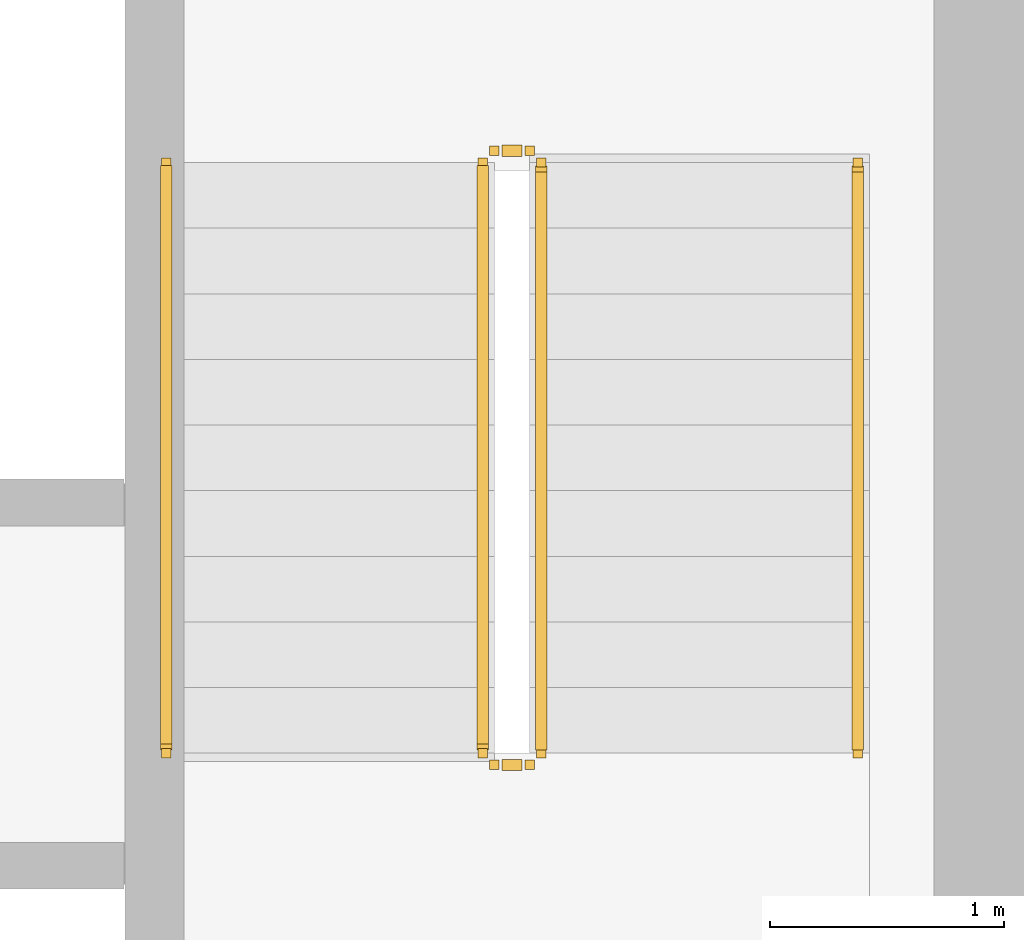
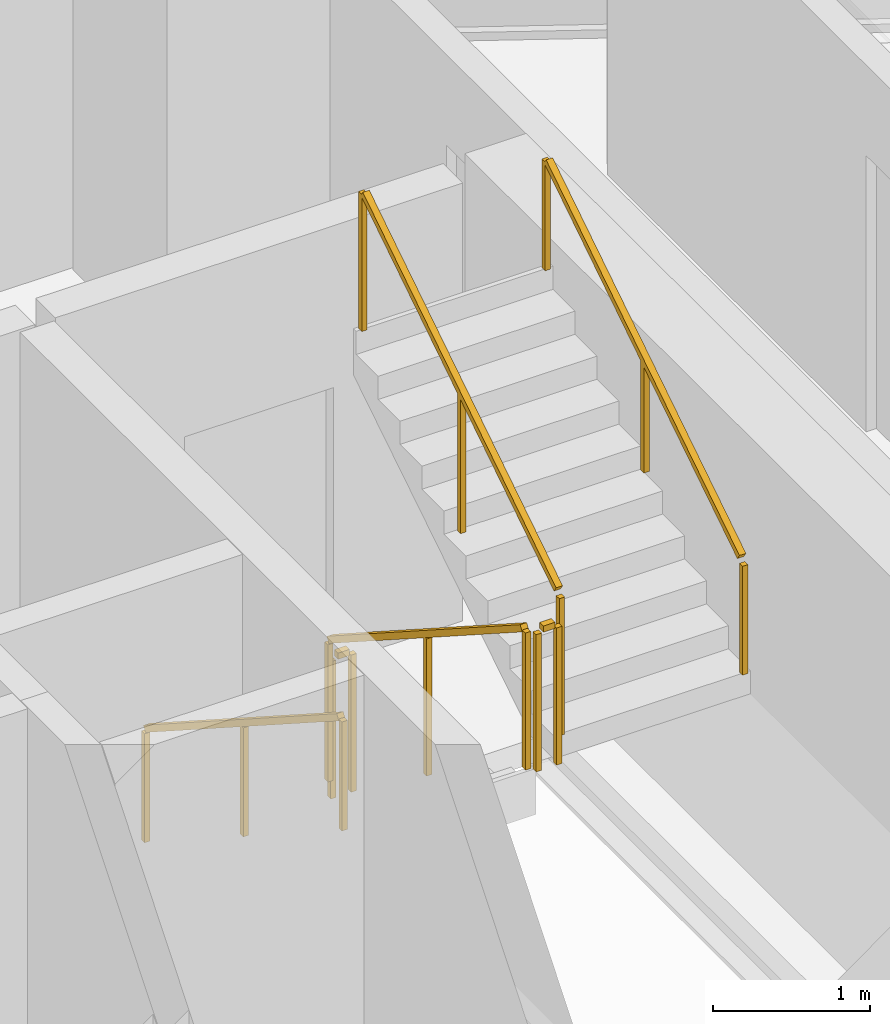
# One storey, part 19 of 20: 6 railings.
"""IFC4 building model written with IfcOpenShell, lengths in metres."""

from ifc_helpers import new_model, si_unit, direction, frame, origin, origin_2d, place, context, subcontext, project, spatial, rectangle, extrude, material, type_object, element, save


model = new_model("IFC4")

# Units and contexts
model_context = context("Model", 3, precision=1e-05, world=origin(), true_north=direction((0.0, 1.0)))
body_context = subcontext(model_context, "Body", "Model", "MODEL_VIEW")
ifc_project = project(units=[si_unit("LENGTHUNIT", "METRE"), si_unit("AREAUNIT", "SQUARE_METRE"), si_unit("VOLUMEUNIT", "CUBIC_METRE"), si_unit("PLANEANGLEUNIT", "RADIAN"), si_unit("MASSUNIT", "GRAM", prefix="KILO")], contexts=[model_context])

# Site, building, storey
site_placement = place(None, origin())
site = spatial("IfcSite", under=ifc_project, at=site_placement, CompositionType="ELEMENT")
building_placement = place(site_placement, origin())
building = spatial("IfcBuilding", under=site, at=building_placement, Name="Tharavind Bronze Gate", CompositionType="ELEMENT")
storey_placement = place(building_placement, frame((0.0, 0.0, 138.800048828125)))
storey = spatial("IfcBuildingStorey", under=building, at=storey_placement, Name="L35", CompositionType="ELEMENT", Elevation=138.800048828125)

# Railings
ifc_material = material(Name="Brushed Bronze Alloy", Category="metal")
railing_type_1 = type_object("IfcRailingType", Name="STAIR BRONZE HANDRAIL 900", PredefinedType="HANDRAIL", material=ifc_material)
railing_1_placement = place(storey_placement, frame((5.39990234375, 2.25, 0.179931640625)))
element("IfcRailing", 1, at=railing_1_placement, inside=storey, type_object=railing_type_1, Name="L35 ST2 stair handrail 1", PredefinedType="HANDRAIL", context=body_context, shape_type="SweptSolid", body=[
    extrude(rectangle(XDim=0.048095703125, YDim=0.048095703125, at=origin_2d()), frame((0.0, -0.02685546875, 0.89306640625), z_axis=(0.0, -0.841162588446, 0.540782303519), x_axis=(1.0, 0.0, 0.0)), (0.0, 0.0, 1.0), 2.931884765625),
    extrude(rectangle(XDim=0.0400390625, YDim=0.0400390625, at=origin_2d()), origin(), (0.0, 0.0, 1.0), 0.847900390625),
    extrude(rectangle(XDim=0.0400390625, YDim=0.0400390625, at=origin_2d()), frame((0.0, -1.260009765625, 0.81005859375)), (0.0, 0.0, 1.0), 0.847900390625),
    extrude(rectangle(XDim=0.0400390625, YDim=0.0400390625, at=origin_2d()), frame((0.0, -2.52001953125, 1.6201171875)), (0.0, 0.0, 1.0), 0.847900390625),
])
railing_2_placement = place(storey_placement, frame((8.35009765625, -0.27001953125, 1.97998046875)))
element("IfcRailing", 2, at=railing_2_placement, inside=storey, type_object=railing_type_1, Name="L35 ST2 stair handrail 2", PredefinedType="HANDRAIL", context=body_context, shape_type="SweptSolid", body=[
    extrude(rectangle(XDim=0.048095703125, YDim=0.048095703125, at=origin_2d()), frame((0.0, 0.02685546875, 0.89306640625), z_axis=(0.0, 0.841199657755, 0.540724639528), x_axis=(-1.0, 0.0, 0.0)), (0.0, 0.0, 1.0), 2.931640625),
    extrude(rectangle(XDim=0.0400390625, YDim=0.0400390625, at=origin_2d()), origin(), (0.0, 0.0, 1.0), 0.847900390625),
    extrude(rectangle(XDim=0.0400390625, YDim=0.0400390625, at=origin_2d()), frame((0.0, 1.260009765625, 0.81005859375)), (0.0, 0.0, 1.0), 0.847900390625),
    extrude(rectangle(XDim=0.0400390625, YDim=0.0400390625, at=origin_2d()), frame((0.0, 2.52001953125, 1.619873046875)), (0.0, 0.0, 1.0), 0.847900390625),
])
railing_type_2 = type_object("IfcRailingType", Name="STAIR WELL GUARD RAILING 1120", PredefinedType="GUARDRAIL", material=ifc_material)
railing_3_placement = place(storey_placement, frame((6.75, 2.25, 0.179931640625)))
element("IfcRailing", 3, at=railing_3_placement, inside=storey, type_object=railing_type_2, Name="L35 ST2 stair guard 1", PredefinedType="GUARDRAIL", context=body_context, shape_type="SweptSolid", body=[
    extrude(rectangle(XDim=0.048095703125, YDim=0.048095703125, at=origin_2d()), frame((0.0, -0.02685546875, 1.11328125), z_axis=(0.0, -0.841162588446, 0.540782303519), x_axis=(1.0, 0.0, 0.0)), (0.0, 0.0, 1.0), 2.931884765625),
    extrude(rectangle(XDim=0.0400390625, YDim=0.0400390625, at=origin_2d()), origin(), (0.0, 0.0, 1.0), 1.068115234375),
    extrude(rectangle(XDim=0.0400390625, YDim=0.0400390625, at=origin_2d()), frame((0.0, -1.260009765625, 0.81005859375)), (0.0, 0.0, 1.0), 1.068115234375),
    extrude(rectangle(XDim=0.0400390625, YDim=0.0400390625, at=origin_2d()), frame((0.0, -2.52001953125, 1.6201171875)), (0.0, 0.0, 1.0), 1.068115234375),
])
railing_4_placement = place(storey_placement, frame((6.800048828125, -0.320068359375, 1.800048828125)))
element("IfcRailing", 4, at=railing_4_placement, inside=storey, type_object=railing_type_2, Name="L35 ST2 stair guard 2", PredefinedType="GUARDRAIL", context=body_context, shape_type="SweptSolid", body=[
    extrude(rectangle(XDim=0.048095703125, YDim=0.048095703125, at=origin_2d()), frame((0.031982421875, 0.0, 1.09619140625), z_axis=(1.0, 0.0, 0.0), x_axis=(0.0, 1.0, 0.0)), (0.0, 0.0, 1.0), 0.0859375),
    extrude(rectangle(XDim=0.0400390625, YDim=0.0400390625, at=origin_2d()), origin(), (0.0, 0.0, 1.0), 1.068115234375),
    extrude(rectangle(XDim=0.0400390625, YDim=0.0400390625, at=origin_2d()), frame((0.14990234375, 0.0, 0.0)), (0.0, 0.0, 1.0), 1.068115234375),
])
railing_5_placement = place(storey_placement, frame((7.0, -0.27001953125, 1.97998046875)))
element("IfcRailing", 5, at=railing_5_placement, inside=storey, type_object=railing_type_2, Name="L35 ST2 stair guard 3", PredefinedType="GUARDRAIL", context=body_context, shape_type="SweptSolid", body=[
    extrude(rectangle(XDim=0.048095703125, YDim=0.048095703125, at=origin_2d()), frame((0.0, 0.02685546875, 1.11328125), z_axis=(0.0, 0.841199657755, 0.540724639528), x_axis=(-1.0, 0.0, 0.0)), (0.0, 0.0, 1.0), 2.931640625),
    extrude(rectangle(XDim=0.0400390625, YDim=0.0400390625, at=origin_2d()), origin(), (0.0, 0.0, 1.0), 1.068115234375),
    extrude(rectangle(XDim=0.0400390625, YDim=0.0400390625, at=origin_2d()), frame((0.0, 1.260009765625, 0.81005859375)), (0.0, 0.0, 1.0), 1.068115234375),
    extrude(rectangle(XDim=0.0400390625, YDim=0.0400390625, at=origin_2d()), frame((0.0, 2.52001953125, 1.619873046875)), (0.0, 0.0, 1.0), 1.068115234375),
])
railing_6_placement = place(storey_placement, frame((6.800048828125, 2.300048828125, 0.0)))
element("IfcRailing", 6, at=railing_6_placement, inside=storey, type_object=railing_type_2, Name="L35 ST2 stair guard 4", PredefinedType="GUARDRAIL", context=body_context, shape_type="SweptSolid", body=[
    extrude(rectangle(XDim=0.048095703125, YDim=0.048095703125, at=origin_2d()), frame((0.031982421875, 0.0, 1.09619140625), z_axis=(1.0, 0.0, 0.0), x_axis=(0.0, 1.0, 0.0)), (0.0, 0.0, 1.0), 0.0859375),
    extrude(rectangle(XDim=0.0400390625, YDim=0.0400390625, at=origin_2d()), origin(), (0.0, 0.0, 1.0), 1.068115234375),
    extrude(rectangle(XDim=0.0400390625, YDim=0.0400390625, at=origin_2d()), frame((0.14990234375, 0.0, 0.0)), (0.0, 0.0, 1.0), 1.068115234375),
])

save(model, "model.ifc")
